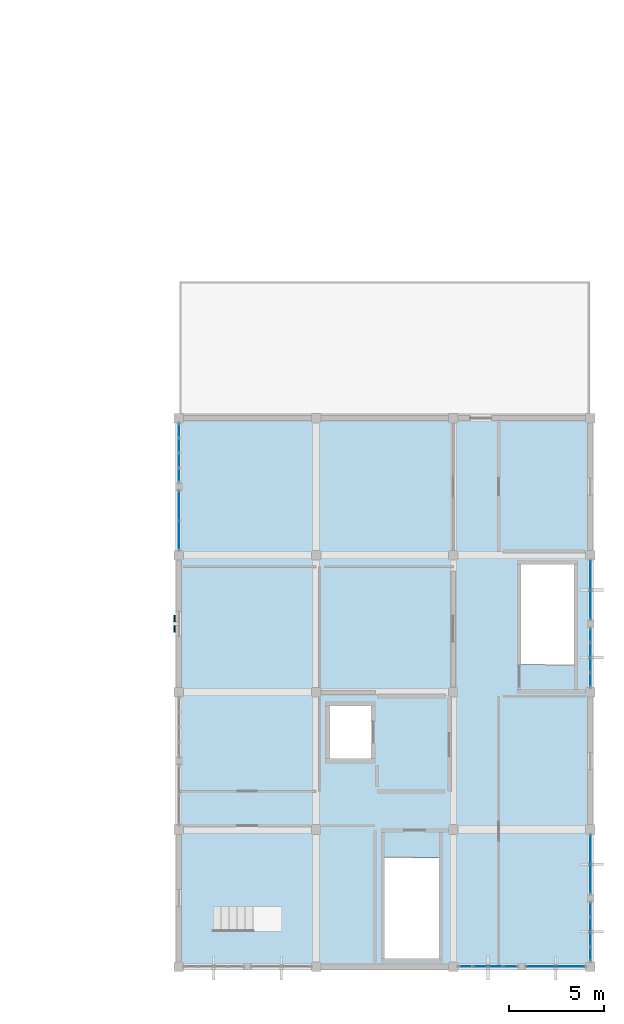
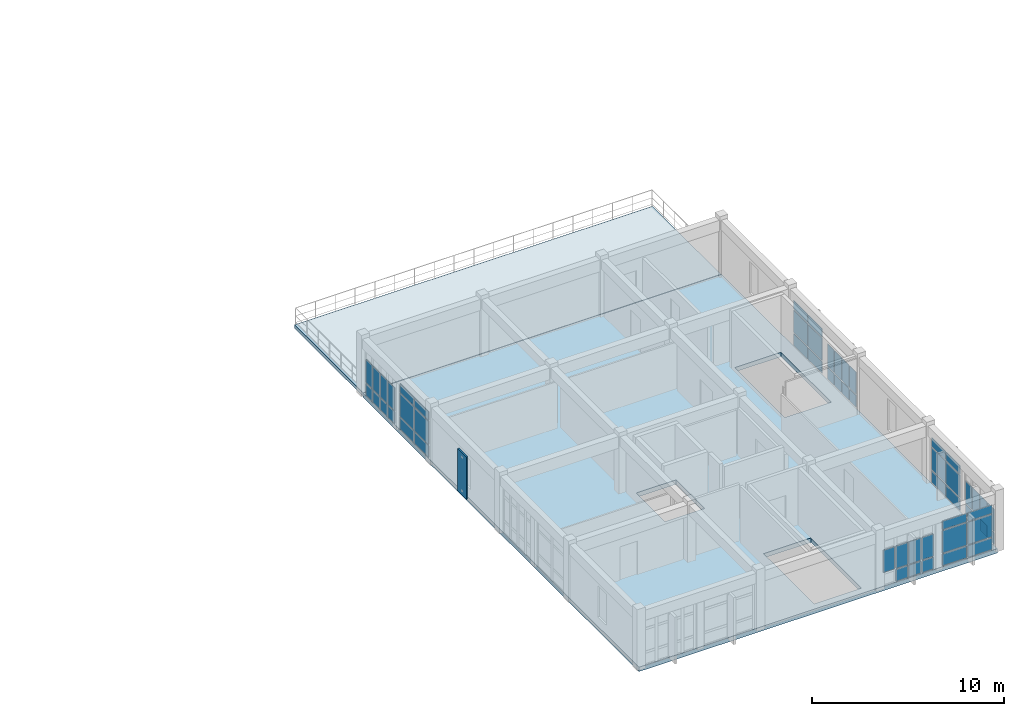
# One storey, part 8 of 14: 56 plates, 2 slabs, 8 elements without a shape of their own.
"""IFC4 building model written with IfcOpenShell, lengths in metres."""

from ifc_helpers import new_model, si_unit, direction, frame, origin, origin_2d, place, context, subcontext, project, spatial, polyline, rectangle, outline, extrude, material, layer, layer_set, type_object, element, aggregate, save


model = new_model("IFC4")

# Units and contexts
model_context = context("Model", 3, precision=1e-05, world=origin(), true_north=direction((0.0, 1.0)))
body_context = subcontext(model_context, "Body", "Model", "MODEL_VIEW")
ifc_project = project(units=[si_unit("LENGTHUNIT", "METRE"), si_unit("AREAUNIT", "SQUARE_METRE"), si_unit("VOLUMEUNIT", "CUBIC_METRE"), si_unit("PLANEANGLEUNIT", "RADIAN"), si_unit("MASSUNIT", "GRAM", prefix="KILO")], contexts=[model_context])

# Site, building, storey
site_placement = place(None, origin())
site = spatial("IfcSite", under=ifc_project, at=site_placement, CompositionType="ELEMENT")
building_placement = place(site_placement, origin())
building = spatial("IfcBuilding", under=site, at=building_placement, Name="Koriwan Promenade Central Fire Station", CompositionType="ELEMENT")
storey_placement = place(building_placement, frame((0.0, 0.0, 21.300048828125)))
storey = spatial("IfcBuildingStorey", under=building, at=storey_placement, Name="L05", CompositionType="ELEMENT", Elevation=21.300048828125)

# Curtain wall, plates
ifc_material_1 = material(Name="Aluminium EN AW-6063-T6 and low-E glazing", Category="aluminium")
ifc_layer_1 = layer(ifc_material_1, 0.159912109375, Name="Aluminium EN AW-6063-T6 and low-E glazing")
ifc_layer_set_1 = layer_set([ifc_layer_1], Name="Aluminium EN AW-6063-T6 and low-E glazing")
curtain_wall_type_1 = type_object("IfcCurtainWallType", Name="CurtainWall_90_315x299", PredefinedType="USERDEFINED", material=ifc_layer_set_1)
curtain_wall_1_placement = place(storey_placement, origin())
curtain_wall_1 = element("IfcCurtainWall", 1, at=curtain_wall_1_placement, inside=storey, type_object=curtain_wall_type_1, Name="V5 L05 unitised curtain wall 277", ObjectType="UNITISED CURTAIN WALL", PredefinedType="USERDEFINED")
ifc_material_2 = material(Name="Solar-control low-E acoustic glazing", Category="glass")
ifc_layer_2 = layer(ifc_material_2, 0.031982421875, Name="Solar-control low-E acoustic glazing")
ifc_layer_set_2 = layer_set([ifc_layer_2], Name="Solar-control low-E acoustic glazing")
plate_type_1 = type_object("IfcPlateType", Name="CWPanel_32", PredefinedType="CURTAIN_PANEL", material=ifc_layer_set_2)
plate_1_placement = place(storey_placement, frame((172.800048828125, 0.66259765625, 0.07470703125), z_axis=(0.0, 0.0, 1.0), x_axis=(0.0, 1.0, 0.0)))
plate_1 = element("IfcPlate", 2, at=plate_1_placement, type_object=plate_type_1, Name="CW-90 panel 1.1", PredefinedType="CURTAIN_PANEL", context=body_context, shape_type="SweptSolid", body=[
    extrude(rectangle(XDim=0.675048828125, YDim=0.031982421875, at=origin_2d()), origin(), (0.0, 0.0, 1.0), 0.737548828125),
])
plate_2_placement = place(storey_placement, frame((172.800048828125, 0.66259765625, 0.887451171875), z_axis=(0.0, 0.0, 1.0), x_axis=(0.0, 1.0, 0.0)))
plate_2 = element("IfcPlate", 3, at=plate_2_placement, type_object=plate_type_1, Name="CW-90 panel 1.2", PredefinedType="CURTAIN_PANEL", context=body_context, shape_type="SweptSolid", body=[
    extrude(rectangle(XDim=0.675048828125, YDim=0.031982421875, at=origin_2d()), origin(), (0.0, 0.0, 1.0), 1.4150390625),
])
plate_3_placement = place(storey_placement, frame((172.800048828125, 1.43115234375, 0.07470703125), z_axis=(0.0, 0.0, 1.0), x_axis=(0.0, 1.0, 0.0)))
plate_3 = element("IfcPlate", 4, at=plate_3_placement, type_object=plate_type_1, Name="CW-90 panel 2.1", PredefinedType="CURTAIN_PANEL", context=body_context, shape_type="SweptSolid", body=[
    extrude(rectangle(XDim=0.71240234375, YDim=0.031982421875, at=origin_2d()), origin(), (0.0, 0.0, 1.0), 0.737548828125),
])
plate_4_placement = place(storey_placement, frame((172.800048828125, 1.43115234375, 0.887451171875), z_axis=(0.0, 0.0, 1.0), x_axis=(0.0, 1.0, 0.0)))
plate_4 = element("IfcPlate", 5, at=plate_4_placement, type_object=plate_type_1, Name="CW-90 panel 2.2", PredefinedType="CURTAIN_PANEL", context=body_context, shape_type="SweptSolid", body=[
    extrude(rectangle(XDim=0.71240234375, YDim=0.031982421875, at=origin_2d()), origin(), (0.0, 0.0, 1.0), 1.4150390625),
])
plate_5_placement = place(storey_placement, frame((172.800048828125, 2.21875, 0.07470703125), z_axis=(0.0, 0.0, 1.0), x_axis=(0.0, 1.0, 0.0)))
plate_5 = element("IfcPlate", 6, at=plate_5_placement, type_object=plate_type_1, Name="CW-90 panel 3.1", PredefinedType="CURTAIN_PANEL", context=body_context, shape_type="SweptSolid", body=[
    extrude(rectangle(XDim=0.71240234375, YDim=0.031982421875, at=origin_2d()), origin(), (0.0, 0.0, 1.0), 0.737548828125),
])
plate_6_placement = place(storey_placement, frame((172.800048828125, 2.21875, 0.887451171875), z_axis=(0.0, 0.0, 1.0), x_axis=(0.0, 1.0, 0.0)))
plate_6 = element("IfcPlate", 7, at=plate_6_placement, type_object=plate_type_1, Name="CW-90 panel 3.2", PredefinedType="CURTAIN_PANEL", context=body_context, shape_type="SweptSolid", body=[
    extrude(rectangle(XDim=0.71240234375, YDim=0.031982421875, at=origin_2d()), origin(), (0.0, 0.0, 1.0), 1.4150390625),
])
plate_7_placement = place(storey_placement, frame((172.800048828125, 2.987548828125, 0.07470703125), z_axis=(0.0, 0.0, 1.0), x_axis=(0.0, 1.0, 0.0)))
plate_7 = element("IfcPlate", 8, at=plate_7_placement, type_object=plate_type_1, Name="CW-90 panel 4.1", PredefinedType="CURTAIN_PANEL", context=body_context, shape_type="SweptSolid", body=[
    extrude(rectangle(XDim=0.675048828125, YDim=0.031982421875, at=origin_2d()), origin(), (0.0, 0.0, 1.0), 0.737548828125),
])
plate_8_placement = place(storey_placement, frame((172.800048828125, 2.987548828125, 0.887451171875), z_axis=(0.0, 0.0, 1.0), x_axis=(0.0, 1.0, 0.0)))
plate_8 = element("IfcPlate", 9, at=plate_8_placement, type_object=plate_type_1, Name="CW-90 panel 4.2", PredefinedType="CURTAIN_PANEL", context=body_context, shape_type="SweptSolid", body=[
    extrude(rectangle(XDim=0.675048828125, YDim=0.031982421875, at=origin_2d()), origin(), (0.0, 0.0, 1.0), 1.4150390625),
])
aggregate(curtain_wall_1, [plate_1, plate_2, plate_3, plate_4, plate_5, plate_6, plate_7, plate_8])

ifc_layer_3 = layer(ifc_material_1, 0.159912109375, Name="Aluminium EN AW-6063-T6 and low-E glazing")
ifc_layer_set_3 = layer_set([ifc_layer_3], Name="Aluminium EN AW-6063-T6 and low-E glazing")
curtain_wall_type_2 = type_object("IfcCurtainWallType", Name="CurtainWall_15_315x299", PredefinedType="USERDEFINED", material=ifc_layer_set_3)
curtain_wall_2_placement = place(storey_placement, origin())
curtain_wall_2 = element("IfcCurtainWall", 10, at=curtain_wall_2_placement, inside=storey, type_object=curtain_wall_type_2, Name="V5 L05 unitised curtain wall 278", ObjectType="UNITISED CURTAIN WALL", PredefinedType="USERDEFINED")
plate_9_placement = place(storey_placement, frame((172.800048828125, 4.606201171875, 0.07470703125), z_axis=(0.0, 0.0, 1.0), x_axis=(0.0, 1.0, 0.0)))
plate_9 = element("IfcPlate", 11, at=plate_9_placement, type_object=plate_type_1, Name="CW-15 panel 1.1", PredefinedType="CURTAIN_PANEL", context=body_context, shape_type="SweptSolid", body=[
    extrude(rectangle(XDim=1.46240234375, YDim=0.031982421875, at=origin_2d()), origin(), (0.0, 0.0, 1.0), 0.737548828125),
])
plate_10_placement = place(storey_placement, frame((172.800048828125, 4.606201171875, 0.887451171875), z_axis=(0.0, 0.0, 1.0), x_axis=(0.0, 1.0, 0.0)))
plate_10 = element("IfcPlate", 12, at=plate_10_placement, type_object=plate_type_1, Name="CW-15 panel 1.2", PredefinedType="CURTAIN_PANEL", context=body_context, shape_type="SweptSolid", body=[
    extrude(rectangle(XDim=1.46240234375, YDim=0.031982421875, at=origin_2d()), origin(), (0.0, 0.0, 1.0), 1.4150390625),
])
plate_11_placement = place(storey_placement, frame((172.800048828125, 4.606201171875, 2.37744140625), z_axis=(0.0, 0.0, 1.0), x_axis=(0.0, 1.0, 0.0)))
plate_11 = element("IfcPlate", 13, at=plate_11_placement, type_object=plate_type_1, Name="CW-15 panel 1.3", PredefinedType="CURTAIN_PANEL", context=body_context, shape_type="SweptSolid", body=[
    extrude(rectangle(XDim=1.46240234375, YDim=0.031982421875, at=origin_2d()), origin(), (0.0, 0.0, 1.0), 0.53759765625),
])
plate_12_placement = place(storey_placement, frame((172.800048828125, 6.143798828125, 0.07470703125), z_axis=(0.0, 0.0, 1.0), x_axis=(0.0, 1.0, 0.0)))
plate_12 = element("IfcPlate", 14, at=plate_12_placement, type_object=plate_type_1, Name="CW-15 panel 2.1", PredefinedType="CURTAIN_PANEL", context=body_context, shape_type="SweptSolid", body=[
    extrude(rectangle(XDim=1.46240234375, YDim=0.031982421875, at=origin_2d()), origin(), (0.0, 0.0, 1.0), 0.737548828125),
])
plate_13_placement = place(storey_placement, frame((172.800048828125, 6.143798828125, 0.887451171875), z_axis=(0.0, 0.0, 1.0), x_axis=(0.0, 1.0, 0.0)))
plate_13 = element("IfcPlate", 15, at=plate_13_placement, type_object=plate_type_1, Name="CW-15 panel 2.2", PredefinedType="CURTAIN_PANEL", context=body_context, shape_type="SweptSolid", body=[
    extrude(rectangle(XDim=1.46240234375, YDim=0.031982421875, at=origin_2d()), origin(), (0.0, 0.0, 1.0), 1.4150390625),
])
plate_14_placement = place(storey_placement, frame((172.800048828125, 6.143798828125, 2.37744140625), z_axis=(0.0, 0.0, 1.0), x_axis=(0.0, 1.0, 0.0)))
plate_14 = element("IfcPlate", 16, at=plate_14_placement, type_object=plate_type_1, Name="CW-15 panel 2.3", PredefinedType="CURTAIN_PANEL", context=body_context, shape_type="SweptSolid", body=[
    extrude(rectangle(XDim=1.46240234375, YDim=0.031982421875, at=origin_2d()), origin(), (0.0, 0.0, 1.0), 0.53759765625),
])
aggregate(curtain_wall_2, [plate_9, plate_10, plate_11, plate_12, plate_13, plate_14])

curtain_wall_3_placement = place(storey_placement, origin())
curtain_wall_3 = element("IfcCurtainWall", 17, at=curtain_wall_3_placement, inside=storey, type_object=curtain_wall_type_1, Name="V5 L05 unitised curtain wall 279", ObjectType="UNITISED CURTAIN WALL", PredefinedType="USERDEFINED")
plate_15_placement = place(storey_placement, frame((172.800048828125, 15.0625, 0.07470703125), z_axis=(0.0, 0.0, 1.0), x_axis=(0.0, 1.0, 0.0)))
plate_15 = element("IfcPlate", 18, at=plate_15_placement, type_object=plate_type_1, Name="CW-90 panel 1.1", PredefinedType="CURTAIN_PANEL", context=body_context, shape_type="SweptSolid", body=[
    extrude(rectangle(XDim=0.675048828125, YDim=0.031982421875, at=origin_2d()), origin(), (0.0, 0.0, 1.0), 0.737548828125),
])
plate_16_placement = place(storey_placement, frame((172.800048828125, 15.0625, 0.887451171875), z_axis=(0.0, 0.0, 1.0), x_axis=(0.0, 1.0, 0.0)))
plate_16 = element("IfcPlate", 19, at=plate_16_placement, type_object=plate_type_1, Name="CW-90 panel 1.2", PredefinedType="CURTAIN_PANEL", context=body_context, shape_type="SweptSolid", body=[
    extrude(rectangle(XDim=0.675048828125, YDim=0.031982421875, at=origin_2d()), origin(), (0.0, 0.0, 1.0), 1.4150390625),
])
plate_17_placement = place(storey_placement, frame((172.800048828125, 15.831298828125, 0.07470703125), z_axis=(0.0, 0.0, 1.0), x_axis=(0.0, 1.0, 0.0)))
plate_17 = element("IfcPlate", 20, at=plate_17_placement, type_object=plate_type_1, Name="CW-90 panel 2.1", PredefinedType="CURTAIN_PANEL", context=body_context, shape_type="SweptSolid", body=[
    extrude(rectangle(XDim=0.71240234375, YDim=0.031982421875, at=origin_2d()), origin(), (0.0, 0.0, 1.0), 0.737548828125),
])
plate_18_placement = place(storey_placement, frame((172.800048828125, 15.831298828125, 0.887451171875), z_axis=(0.0, 0.0, 1.0), x_axis=(0.0, 1.0, 0.0)))
plate_18 = element("IfcPlate", 21, at=plate_18_placement, type_object=plate_type_1, Name="CW-90 panel 2.2", PredefinedType="CURTAIN_PANEL", context=body_context, shape_type="SweptSolid", body=[
    extrude(rectangle(XDim=0.71240234375, YDim=0.031982421875, at=origin_2d()), origin(), (0.0, 0.0, 1.0), 1.4150390625),
])
plate_19_placement = place(storey_placement, frame((172.800048828125, 16.61865234375, 0.07470703125), z_axis=(0.0, 0.0, 1.0), x_axis=(0.0, 1.0, 0.0)))
plate_19 = element("IfcPlate", 22, at=plate_19_placement, type_object=plate_type_1, Name="CW-90 panel 3.1", PredefinedType="CURTAIN_PANEL", context=body_context, shape_type="SweptSolid", body=[
    extrude(rectangle(XDim=0.71240234375, YDim=0.031982421875, at=origin_2d()), origin(), (0.0, 0.0, 1.0), 0.737548828125),
])
plate_20_placement = place(storey_placement, frame((172.800048828125, 16.61865234375, 0.887451171875), z_axis=(0.0, 0.0, 1.0), x_axis=(0.0, 1.0, 0.0)))
plate_20 = element("IfcPlate", 23, at=plate_20_placement, type_object=plate_type_1, Name="CW-90 panel 3.2", PredefinedType="CURTAIN_PANEL", context=body_context, shape_type="SweptSolid", body=[
    extrude(rectangle(XDim=0.71240234375, YDim=0.031982421875, at=origin_2d()), origin(), (0.0, 0.0, 1.0), 1.4150390625),
])
plate_21_placement = place(storey_placement, frame((172.800048828125, 17.387451171875, 0.07470703125), z_axis=(0.0, 0.0, 1.0), x_axis=(0.0, 1.0, 0.0)))
plate_21 = element("IfcPlate", 24, at=plate_21_placement, type_object=plate_type_1, Name="CW-90 panel 4.1", PredefinedType="CURTAIN_PANEL", context=body_context, shape_type="SweptSolid", body=[
    extrude(rectangle(XDim=0.675048828125, YDim=0.031982421875, at=origin_2d()), origin(), (0.0, 0.0, 1.0), 0.737548828125),
])
plate_22_placement = place(storey_placement, frame((172.800048828125, 17.387451171875, 0.887451171875), z_axis=(0.0, 0.0, 1.0), x_axis=(0.0, 1.0, 0.0)))
plate_22 = element("IfcPlate", 25, at=plate_22_placement, type_object=plate_type_1, Name="CW-90 panel 4.2", PredefinedType="CURTAIN_PANEL", context=body_context, shape_type="SweptSolid", body=[
    extrude(rectangle(XDim=0.675048828125, YDim=0.031982421875, at=origin_2d()), origin(), (0.0, 0.0, 1.0), 1.4150390625),
])
aggregate(curtain_wall_3, [plate_15, plate_16, plate_17, plate_18, plate_19, plate_20, plate_21, plate_22])

curtain_wall_4_placement = place(storey_placement, origin())
curtain_wall_4 = element("IfcCurtainWall", 26, at=curtain_wall_4_placement, inside=storey, type_object=curtain_wall_type_2, Name="V5 L05 unitised curtain wall 280", ObjectType="UNITISED CURTAIN WALL", PredefinedType="USERDEFINED")
plate_23_placement = place(storey_placement, frame((172.800048828125, 19.00634765625, 0.07470703125), z_axis=(0.0, 0.0, 1.0), x_axis=(0.0, 1.0, 0.0)))
plate_23 = element("IfcPlate", 27, at=plate_23_placement, type_object=plate_type_1, Name="CW-15 panel 1.1", PredefinedType="CURTAIN_PANEL", context=body_context, shape_type="SweptSolid", body=[
    extrude(rectangle(XDim=1.46240234375, YDim=0.031982421875, at=origin_2d()), origin(), (0.0, 0.0, 1.0), 0.737548828125),
])
plate_24_placement = place(storey_placement, frame((172.800048828125, 19.00634765625, 0.887451171875), z_axis=(0.0, 0.0, 1.0), x_axis=(0.0, 1.0, 0.0)))
plate_24 = element("IfcPlate", 28, at=plate_24_placement, type_object=plate_type_1, Name="CW-15 panel 1.2", PredefinedType="CURTAIN_PANEL", context=body_context, shape_type="SweptSolid", body=[
    extrude(rectangle(XDim=1.46240234375, YDim=0.031982421875, at=origin_2d()), origin(), (0.0, 0.0, 1.0), 1.4150390625),
])
plate_25_placement = place(storey_placement, frame((172.800048828125, 19.00634765625, 2.37744140625), z_axis=(0.0, 0.0, 1.0), x_axis=(0.0, 1.0, 0.0)))
plate_25 = element("IfcPlate", 29, at=plate_25_placement, type_object=plate_type_1, Name="CW-15 panel 1.3", PredefinedType="CURTAIN_PANEL", context=body_context, shape_type="SweptSolid", body=[
    extrude(rectangle(XDim=1.46240234375, YDim=0.031982421875, at=origin_2d()), origin(), (0.0, 0.0, 1.0), 0.53759765625),
])
plate_26_placement = place(storey_placement, frame((172.800048828125, 20.543701171875, 0.07470703125), z_axis=(0.0, 0.0, 1.0), x_axis=(0.0, 1.0, 0.0)))
plate_26 = element("IfcPlate", 30, at=plate_26_placement, type_object=plate_type_1, Name="CW-15 panel 2.1", PredefinedType="CURTAIN_PANEL", context=body_context, shape_type="SweptSolid", body=[
    extrude(rectangle(XDim=1.46240234375, YDim=0.031982421875, at=origin_2d()), origin(), (0.0, 0.0, 1.0), 0.737548828125),
])
plate_27_placement = place(storey_placement, frame((172.800048828125, 20.543701171875, 0.887451171875), z_axis=(0.0, 0.0, 1.0), x_axis=(0.0, 1.0, 0.0)))
plate_27 = element("IfcPlate", 31, at=plate_27_placement, type_object=plate_type_1, Name="CW-15 panel 2.2", PredefinedType="CURTAIN_PANEL", context=body_context, shape_type="SweptSolid", body=[
    extrude(rectangle(XDim=1.46240234375, YDim=0.031982421875, at=origin_2d()), origin(), (0.0, 0.0, 1.0), 1.4150390625),
])
plate_28_placement = place(storey_placement, frame((172.800048828125, 20.543701171875, 2.37744140625), z_axis=(0.0, 0.0, 1.0), x_axis=(0.0, 1.0, 0.0)))
plate_28 = element("IfcPlate", 32, at=plate_28_placement, type_object=plate_type_1, Name="CW-15 panel 2.3", PredefinedType="CURTAIN_PANEL", context=body_context, shape_type="SweptSolid", body=[
    extrude(rectangle(XDim=1.46240234375, YDim=0.031982421875, at=origin_2d()), origin(), (0.0, 0.0, 1.0), 0.53759765625),
])
aggregate(curtain_wall_4, [plate_23, plate_24, plate_25, plate_26, plate_27, plate_28])

ifc_layer_4 = layer(ifc_material_1, 0.159912109375, Name="Aluminium EN AW-6063-T6 and low-E glazing")
ifc_layer_set_4 = layer_set([ifc_layer_4], Name="Aluminium EN AW-6063-T6 and low-E glazing")
curtain_wall_type_3 = type_object("IfcCurtainWallType", Name="CurtainWall_91_315x304", PredefinedType="USERDEFINED", material=ifc_layer_set_4)
curtain_wall_5_placement = place(storey_placement, origin())
curtain_wall_5 = element("IfcCurtainWall", 33, at=curtain_wall_5_placement, inside=storey, type_object=curtain_wall_type_3, Name="V5 L05 unitised curtain wall 281", ObjectType="UNITISED CURTAIN WALL", PredefinedType="USERDEFINED")
plate_29_placement = place(storey_placement, frame((151.199951171875, 28.137451171875, 0.07470703125), z_axis=(0.0, 0.0, 1.0), x_axis=(0.0, -1.0, 0.0)))
plate_29 = element("IfcPlate", 34, at=plate_29_placement, type_object=plate_type_1, Name="CW-91 panel 1.1", PredefinedType="CURTAIN_PANEL", context=body_context, shape_type="SweptSolid", body=[
    extrude(rectangle(XDim=0.675048828125, YDim=0.031982421875, at=origin_2d()), origin(), (0.0, 0.0, 1.0), 0.737548828125),
])
plate_30_placement = place(storey_placement, frame((151.199951171875, 28.137451171875, 0.88720703125), z_axis=(0.0, 0.0, 1.0), x_axis=(0.0, -1.0, 0.0)))
plate_30 = element("IfcPlate", 35, at=plate_30_placement, type_object=plate_type_1, Name="CW-91 panel 1.2", PredefinedType="CURTAIN_PANEL", context=body_context, shape_type="SweptSolid", body=[
    extrude(rectangle(XDim=0.675048828125, YDim=0.031982421875, at=origin_2d()), origin(), (0.0, 0.0, 1.0), 1.465087890625),
])
plate_31_placement = place(storey_placement, frame((151.199951171875, 27.36865234375, 0.07470703125), z_axis=(0.0, 0.0, 1.0), x_axis=(0.0, -1.0, 0.0)))
plate_31 = element("IfcPlate", 36, at=plate_31_placement, type_object=plate_type_1, Name="CW-91 panel 2.1", PredefinedType="CURTAIN_PANEL", context=body_context, shape_type="SweptSolid", body=[
    extrude(rectangle(XDim=0.71240234375, YDim=0.031982421875, at=origin_2d()), origin(), (0.0, 0.0, 1.0), 0.737548828125),
])
plate_32_placement = place(storey_placement, frame((151.199951171875, 27.36865234375, 0.88720703125), z_axis=(0.0, 0.0, 1.0), x_axis=(0.0, -1.0, 0.0)))
plate_32 = element("IfcPlate", 37, at=plate_32_placement, type_object=plate_type_1, Name="CW-91 panel 2.2", PredefinedType="CURTAIN_PANEL", context=body_context, shape_type="SweptSolid", body=[
    extrude(rectangle(XDim=0.71240234375, YDim=0.031982421875, at=origin_2d()), origin(), (0.0, 0.0, 1.0), 1.465087890625),
])
plate_33_placement = place(storey_placement, frame((151.199951171875, 26.581298828125, 0.07470703125), z_axis=(0.0, 0.0, 1.0), x_axis=(0.0, -1.0, 0.0)))
plate_33 = element("IfcPlate", 38, at=plate_33_placement, type_object=plate_type_1, Name="CW-91 panel 3.1", PredefinedType="CURTAIN_PANEL", context=body_context, shape_type="SweptSolid", body=[
    extrude(rectangle(XDim=0.71240234375, YDim=0.031982421875, at=origin_2d()), origin(), (0.0, 0.0, 1.0), 0.737548828125),
])
plate_34_placement = place(storey_placement, frame((151.199951171875, 26.581298828125, 0.88720703125), z_axis=(0.0, 0.0, 1.0), x_axis=(0.0, -1.0, 0.0)))
plate_34 = element("IfcPlate", 39, at=plate_34_placement, type_object=plate_type_1, Name="CW-91 panel 3.2", PredefinedType="CURTAIN_PANEL", context=body_context, shape_type="SweptSolid", body=[
    extrude(rectangle(XDim=0.71240234375, YDim=0.031982421875, at=origin_2d()), origin(), (0.0, 0.0, 1.0), 1.465087890625),
])
plate_35_placement = place(storey_placement, frame((151.199951171875, 25.8125, 0.07470703125), z_axis=(0.0, 0.0, 1.0), x_axis=(0.0, -1.0, 0.0)))
plate_35 = element("IfcPlate", 40, at=plate_35_placement, type_object=plate_type_1, Name="CW-91 panel 4.1", PredefinedType="CURTAIN_PANEL", context=body_context, shape_type="SweptSolid", body=[
    extrude(rectangle(XDim=0.675048828125, YDim=0.031982421875, at=origin_2d()), origin(), (0.0, 0.0, 1.0), 0.737548828125),
])
plate_36_placement = place(storey_placement, frame((151.199951171875, 25.8125, 0.88720703125), z_axis=(0.0, 0.0, 1.0), x_axis=(0.0, -1.0, 0.0)))
plate_36 = element("IfcPlate", 41, at=plate_36_placement, type_object=plate_type_1, Name="CW-91 panel 4.2", PredefinedType="CURTAIN_PANEL", context=body_context, shape_type="SweptSolid", body=[
    extrude(rectangle(XDim=0.675048828125, YDim=0.031982421875, at=origin_2d()), origin(), (0.0, 0.0, 1.0), 1.465087890625),
])
aggregate(curtain_wall_5, [plate_29, plate_30, plate_31, plate_32, plate_33, plate_34, plate_35, plate_36])

ifc_layer_5 = layer(ifc_material_1, 0.159912109375, Name="Aluminium EN AW-6063-T6 and low-E glazing")
ifc_layer_set_5 = layer_set([ifc_layer_5], Name="Aluminium EN AW-6063-T6 and low-E glazing")
curtain_wall_type_4 = type_object("IfcCurtainWallType", Name="CurtainWall_92_315x304", PredefinedType="USERDEFINED", material=ifc_layer_set_5)
curtain_wall_6_placement = place(storey_placement, origin())
curtain_wall_6 = element("IfcCurtainWall", 42, at=curtain_wall_6_placement, inside=storey, type_object=curtain_wall_type_4, Name="V5 L05 unitised curtain wall 282", ObjectType="UNITISED CURTAIN WALL", PredefinedType="USERDEFINED")
plate_37_placement = place(storey_placement, frame((151.199951171875, 24.19384765625, 0.07470703125), z_axis=(0.0, 0.0, 1.0), x_axis=(0.0, -1.0, 0.0)))
plate_37 = element("IfcPlate", 43, at=plate_37_placement, type_object=plate_type_1, Name="CW-92 panel 1.1", PredefinedType="CURTAIN_PANEL", context=body_context, shape_type="SweptSolid", body=[
    extrude(rectangle(XDim=1.46240234375, YDim=0.031982421875, at=origin_2d()), origin(), (0.0, 0.0, 1.0), 0.737548828125),
])
plate_38_placement = place(storey_placement, frame((151.199951171875, 24.19384765625, 0.88720703125), z_axis=(0.0, 0.0, 1.0), x_axis=(0.0, -1.0, 0.0)))
plate_38 = element("IfcPlate", 44, at=plate_38_placement, type_object=plate_type_1, Name="CW-92 panel 1.2", PredefinedType="CURTAIN_PANEL", context=body_context, shape_type="SweptSolid", body=[
    extrude(rectangle(XDim=1.46240234375, YDim=0.031982421875, at=origin_2d()), origin(), (0.0, 0.0, 1.0), 1.465087890625),
])
plate_39_placement = place(storey_placement, frame((151.199951171875, 24.19384765625, 2.427490234375), z_axis=(0.0, 0.0, 1.0), x_axis=(0.0, -1.0, 0.0)))
plate_39 = element("IfcPlate", 45, at=plate_39_placement, type_object=plate_type_1, Name="CW-92 panel 1.3", PredefinedType="CURTAIN_PANEL", context=body_context, shape_type="SweptSolid", body=[
    extrude(rectangle(XDim=1.46240234375, YDim=0.031982421875, at=origin_2d()), origin(), (0.0, 0.0, 1.0), 0.53759765625),
])
plate_40_placement = place(storey_placement, frame((151.199951171875, 22.65625, 0.07470703125), z_axis=(0.0, 0.0, 1.0), x_axis=(0.0, -1.0, 0.0)))
plate_40 = element("IfcPlate", 46, at=plate_40_placement, type_object=plate_type_1, Name="CW-92 panel 2.1", PredefinedType="CURTAIN_PANEL", context=body_context, shape_type="SweptSolid", body=[
    extrude(rectangle(XDim=1.46240234375, YDim=0.031982421875, at=origin_2d()), origin(), (0.0, 0.0, 1.0), 0.737548828125),
])
plate_41_placement = place(storey_placement, frame((151.199951171875, 22.65625, 0.88720703125), z_axis=(0.0, 0.0, 1.0), x_axis=(0.0, -1.0, 0.0)))
plate_41 = element("IfcPlate", 47, at=plate_41_placement, type_object=plate_type_1, Name="CW-92 panel 2.2", PredefinedType="CURTAIN_PANEL", context=body_context, shape_type="SweptSolid", body=[
    extrude(rectangle(XDim=1.46240234375, YDim=0.031982421875, at=origin_2d()), origin(), (0.0, 0.0, 1.0), 1.465087890625),
])
plate_42_placement = place(storey_placement, frame((151.199951171875, 22.65625, 2.427490234375), z_axis=(0.0, 0.0, 1.0), x_axis=(0.0, -1.0, 0.0)))
plate_42 = element("IfcPlate", 48, at=plate_42_placement, type_object=plate_type_1, Name="CW-92 panel 2.3", PredefinedType="CURTAIN_PANEL", context=body_context, shape_type="SweptSolid", body=[
    extrude(rectangle(XDim=1.46240234375, YDim=0.031982421875, at=origin_2d()), origin(), (0.0, 0.0, 1.0), 0.53759765625),
])
aggregate(curtain_wall_6, [plate_37, plate_38, plate_39, plate_40, plate_41, plate_42])

curtain_wall_7_placement = place(storey_placement, origin())
curtain_wall_7 = element("IfcCurtainWall", 49, at=curtain_wall_7_placement, inside=storey, type_object=curtain_wall_type_1, Name="V5 L05 unitised curtain wall 287", ObjectType="UNITISED CURTAIN WALL", PredefinedType="USERDEFINED")
plate_43_placement = place(storey_placement, frame((166.262451171875, 0.0, 0.887451171875), z_axis=(0.0, 0.0, 1.0), x_axis=(1.0, 0.0, 0.0)))
plate_43 = element("IfcPlate", 50, at=plate_43_placement, type_object=plate_type_1, Name="CW-90 panel 1.2", PredefinedType="CURTAIN_PANEL", context=body_context, shape_type="SweptSolid", body=[
    extrude(rectangle(XDim=0.675048828125, YDim=0.031982421875, at=origin_2d()), origin(), (0.0, 0.0, 1.0), 1.4150390625),
])
plate_44_placement = place(storey_placement, frame((167.03125, 0.0, 0.07470703125), z_axis=(0.0, 0.0, 1.0), x_axis=(1.0, 0.0, 0.0)))
plate_44 = element("IfcPlate", 51, at=plate_44_placement, type_object=plate_type_1, Name="CW-90 panel 2.1", PredefinedType="CURTAIN_PANEL", context=body_context, shape_type="SweptSolid", body=[
    extrude(rectangle(XDim=0.71240234375, YDim=0.031982421875, at=origin_2d()), origin(), (0.0, 0.0, 1.0), 0.737548828125),
])
plate_45_placement = place(storey_placement, frame((167.03125, 0.0, 0.887451171875), z_axis=(0.0, 0.0, 1.0), x_axis=(1.0, 0.0, 0.0)))
plate_45 = element("IfcPlate", 52, at=plate_45_placement, type_object=plate_type_1, Name="CW-90 panel 2.2", PredefinedType="CURTAIN_PANEL", context=body_context, shape_type="SweptSolid", body=[
    extrude(rectangle(XDim=0.71240234375, YDim=0.031982421875, at=origin_2d()), origin(), (0.0, 0.0, 1.0), 1.4150390625),
])
plate_46_placement = place(storey_placement, frame((167.81884765625, 0.0, 0.07470703125), z_axis=(0.0, 0.0, 1.0), x_axis=(1.0, 0.0, 0.0)))
plate_46 = element("IfcPlate", 53, at=plate_46_placement, type_object=plate_type_1, Name="CW-90 panel 3.1", PredefinedType="CURTAIN_PANEL", context=body_context, shape_type="SweptSolid", body=[
    extrude(rectangle(XDim=0.71240234375, YDim=0.031982421875, at=origin_2d()), origin(), (0.0, 0.0, 1.0), 0.737548828125),
])
plate_47_placement = place(storey_placement, frame((167.81884765625, 0.0, 0.887451171875), z_axis=(0.0, 0.0, 1.0), x_axis=(1.0, 0.0, 0.0)))
plate_47 = element("IfcPlate", 54, at=plate_47_placement, type_object=plate_type_1, Name="CW-90 panel 3.2", PredefinedType="CURTAIN_PANEL", context=body_context, shape_type="SweptSolid", body=[
    extrude(rectangle(XDim=0.71240234375, YDim=0.031982421875, at=origin_2d()), origin(), (0.0, 0.0, 1.0), 1.4150390625),
])
plate_48_placement = place(storey_placement, frame((168.58740234375, 0.0, 0.07470703125), z_axis=(0.0, 0.0, 1.0), x_axis=(1.0, 0.0, 0.0)))
plate_48 = element("IfcPlate", 55, at=plate_48_placement, type_object=plate_type_1, Name="CW-90 panel 4.1", PredefinedType="CURTAIN_PANEL", context=body_context, shape_type="SweptSolid", body=[
    extrude(rectangle(XDim=0.675048828125, YDim=0.031982421875, at=origin_2d()), origin(), (0.0, 0.0, 1.0), 0.737548828125),
])
plate_49_placement = place(storey_placement, frame((168.58740234375, 0.0, 0.887451171875), z_axis=(0.0, 0.0, 1.0), x_axis=(1.0, 0.0, 0.0)))
plate_49 = element("IfcPlate", 56, at=plate_49_placement, type_object=plate_type_1, Name="CW-90 panel 4.2", PredefinedType="CURTAIN_PANEL", context=body_context, shape_type="SweptSolid", body=[
    extrude(rectangle(XDim=0.675048828125, YDim=0.031982421875, at=origin_2d()), origin(), (0.0, 0.0, 1.0), 1.4150390625),
])
aggregate(curtain_wall_7, [plate_43, plate_44, plate_45, plate_46, plate_47, plate_48, plate_49])

curtain_wall_8_placement = place(storey_placement, origin())
curtain_wall_8 = element("IfcCurtainWall", 57, at=curtain_wall_8_placement, inside=storey, type_object=curtain_wall_type_2, Name="V5 L05 unitised curtain wall 288", ObjectType="UNITISED CURTAIN WALL", PredefinedType="USERDEFINED")
plate_50_placement = place(storey_placement, frame((170.206298828125, 0.0, 0.07470703125), z_axis=(0.0, 0.0, 1.0), x_axis=(1.0, 0.0, 0.0)))
plate_50 = element("IfcPlate", 58, at=plate_50_placement, type_object=plate_type_1, Name="CW-15 panel 1.1", PredefinedType="CURTAIN_PANEL", context=body_context, shape_type="SweptSolid", body=[
    extrude(rectangle(XDim=1.46240234375, YDim=0.031982421875, at=origin_2d()), origin(), (0.0, 0.0, 1.0), 0.737548828125),
])
plate_51_placement = place(storey_placement, frame((170.206298828125, 0.0, 0.887451171875), z_axis=(0.0, 0.0, 1.0), x_axis=(1.0, 0.0, 0.0)))
plate_51 = element("IfcPlate", 59, at=plate_51_placement, type_object=plate_type_1, Name="CW-15 panel 1.2", PredefinedType="CURTAIN_PANEL", context=body_context, shape_type="SweptSolid", body=[
    extrude(rectangle(XDim=1.46240234375, YDim=0.031982421875, at=origin_2d()), origin(), (0.0, 0.0, 1.0), 1.4150390625),
])
plate_52_placement = place(storey_placement, frame((170.206298828125, 0.0, 2.37744140625), z_axis=(0.0, 0.0, 1.0), x_axis=(1.0, 0.0, 0.0)))
plate_52 = element("IfcPlate", 60, at=plate_52_placement, type_object=plate_type_1, Name="CW-15 panel 1.3", PredefinedType="CURTAIN_PANEL", context=body_context, shape_type="SweptSolid", body=[
    extrude(rectangle(XDim=1.46240234375, YDim=0.031982421875, at=origin_2d()), origin(), (0.0, 0.0, 1.0), 0.53759765625),
])
plate_53_placement = place(storey_placement, frame((171.74365234375, 0.0, 0.07470703125), z_axis=(0.0, 0.0, 1.0), x_axis=(1.0, 0.0, 0.0)))
plate_53 = element("IfcPlate", 61, at=plate_53_placement, type_object=plate_type_1, Name="CW-15 panel 2.1", PredefinedType="CURTAIN_PANEL", context=body_context, shape_type="SweptSolid", body=[
    extrude(rectangle(XDim=1.46240234375, YDim=0.031982421875, at=origin_2d()), origin(), (0.0, 0.0, 1.0), 0.737548828125),
])
plate_54_placement = place(storey_placement, frame((171.74365234375, 0.0, 0.887451171875), z_axis=(0.0, 0.0, 1.0), x_axis=(1.0, 0.0, 0.0)))
plate_54 = element("IfcPlate", 62, at=plate_54_placement, type_object=plate_type_1, Name="CW-15 panel 2.2", PredefinedType="CURTAIN_PANEL", context=body_context, shape_type="SweptSolid", body=[
    extrude(rectangle(XDim=1.46240234375, YDim=0.031982421875, at=origin_2d()), origin(), (0.0, 0.0, 1.0), 1.4150390625),
])
plate_55_placement = place(storey_placement, frame((171.74365234375, 0.0, 2.37744140625), z_axis=(0.0, 0.0, 1.0), x_axis=(1.0, 0.0, 0.0)))
plate_55 = element("IfcPlate", 63, at=plate_55_placement, type_object=plate_type_1, Name="CW-15 panel 2.3", PredefinedType="CURTAIN_PANEL", context=body_context, shape_type="SweptSolid", body=[
    extrude(rectangle(XDim=1.46240234375, YDim=0.031982421875, at=origin_2d()), origin(), (0.0, 0.0, 1.0), 0.53759765625),
])
aggregate(curtain_wall_8, [plate_50, plate_51, plate_52, plate_53, plate_54, plate_55])

# Slab
ifc_material_3 = material(Name="Concrete C35/45", Category="concrete")
ifc_layer_6 = layer(ifc_material_3, 0.280029296875, Name="Concrete C35/45")
ifc_layer_set_6 = layer_set([ifc_layer_6], Name="Concrete C35/45")
slab_type_1 = type_object("IfcSlabType", Name="FloorSlab_280", PredefinedType="FLOOR", material=ifc_layer_set_6)
slab_1_placement = place(storey_placement, frame((0.0, 0.0, -0.280029296875)))
element("IfcSlab", 64, at=slab_1_placement, inside=storey, type_object=slab_type_1, Name="V5 L05 structural slab 1", PredefinedType="FLOOR", context=body_context, shape_type="SweptSolid", body=[
    extrude(outline(polyline([(151.199951171875, 28.800048828125), (172.800048828125, 28.800048828125), (172.800048828125, 0.0), (151.199951171875, 0.0), (151.199951171875, 28.800048828125)]), holes=[polyline([(164.85009765625, 0.429931640625), (164.85009765625, 5.697998046875), (162.0, 5.697998046875), (162.0, 0.429931640625), (164.85009765625, 0.429931640625)]), polyline([(169.159912109375, 15.8720703125), (171.949951171875, 15.8720703125), (171.949951171875, 21.110107421875), (169.159912109375, 21.110107421875), (169.159912109375, 15.8720703125)]), polyline([(159.0, 13.800048828125), (159.0, 10.800048828125), (161.39990234375, 10.800048828125), (161.39990234375, 13.800048828125), (159.0, 13.800048828125)])]), origin(), (0.0, 0.0, 1.0), 0.280029296875),
])

# Plate
ifc_material_4 = material(Name="Precast concrete C40/50", Category="concrete")
ifc_layer_7 = layer(ifc_material_4, 0.080078125, Name="Precast concrete C40/50")
ifc_layer_set_7 = layer_set([ifc_layer_7], Name="Precast concrete C40/50")
plate_type_2 = type_object("IfcPlateType", Name="JaliScreen_JL-01", PredefinedType="USERDEFINED", material=ifc_layer_set_7)
plate_56_placement = place(storey_placement, frame((150.969970703125, 18.0, 0.14501953125), z_axis=(0.0, 0.0, 1.0), x_axis=(0.0, -1.0, 0.0)))
element("IfcPlate", 65, at=plate_56_placement, inside=storey, type_object=plate_type_2, Name="V5 L05 Mughal jali screen 017", ObjectType="JALI SCREEN", PredefinedType="USERDEFINED", context=body_context, shape_type="SweptSolid", body=[
    extrude(rectangle(XDim=0.89990234375, YDim=0.080078125, at=origin_2d()), origin(), (0.0, 0.0, 1.0), 2.699951171875),
])

# Slab
ifc_layer_8 = layer(ifc_material_3, 0.239990234375, Name="Concrete C35/45")
ifc_layer_set_8 = layer_set([ifc_layer_8], Name="Concrete C35/45")
slab_type_2 = type_object("IfcSlabType", Name="TerraceSlab_240", PredefinedType="FLOOR", material=ifc_layer_set_8)
slab_2_placement = place(storey_placement, frame((0.0, 0.0, -0.239990234375)))
element("IfcSlab", 66, at=slab_2_placement, inside=storey, type_object=slab_type_2, Name="Upper Chhajja Roof Terrace (L05)", PredefinedType="FLOOR", context=body_context, shape_type="SweptSolid", body=[
    extrude(outline(polyline([(172.780029296875, 28.820068359375), (151.219970703125, 28.820068359375), (151.219970703125, 35.97998046875), (172.780029296875, 35.97998046875), (172.780029296875, 28.820068359375)])), origin(), (0.0, 0.0, 1.0), 0.239990234375),
])

save(model, "model.ifc")
